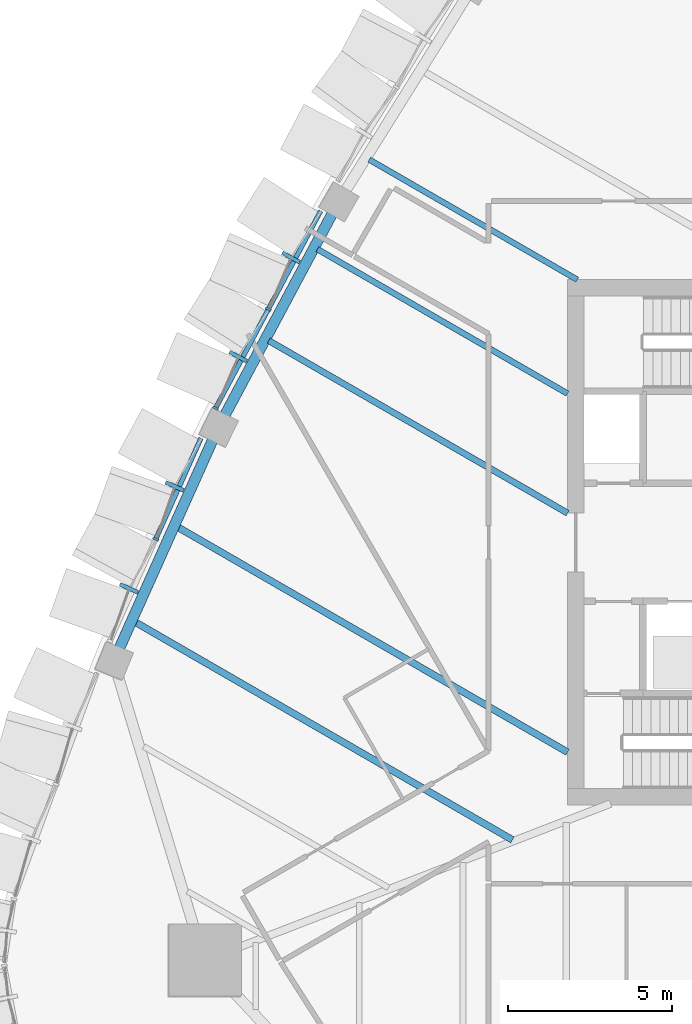
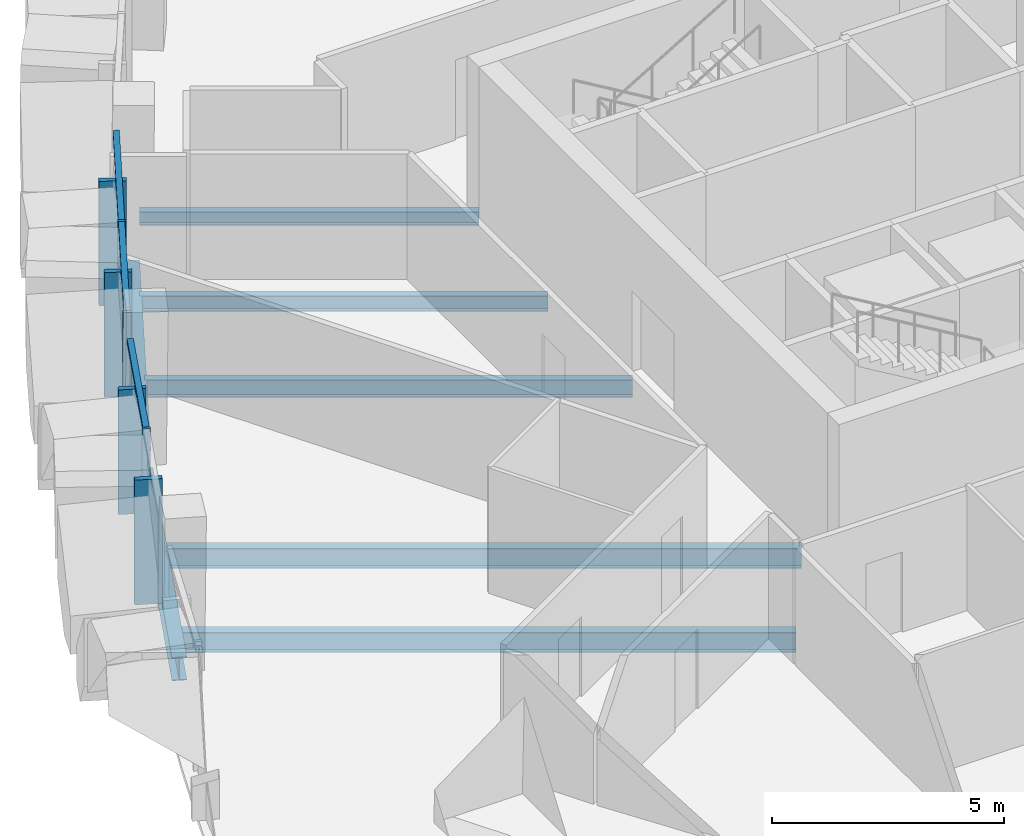
# One storey, part 3 of 20: 10 members, 7 beams, 2 elements without a shape of their own.
"""IFC4 building model written with IfcOpenShell, lengths in metres."""

from ifc_helpers import new_model, si_unit, direction, frame, origin, origin_2d, place, context, subcontext, project, spatial, rectangle, i_section, extrude, material, layer, layer_set, material_profile, profile_set, type_object, element, aggregate, save


model = new_model("IFC4")

# Units and contexts
model_context = context("Model", 3, precision=1e-05, world=origin(), true_north=direction((0.0, 1.0)))
body_context = subcontext(model_context, "Body", "Model", "MODEL_VIEW")
ifc_project = project(units=[si_unit("LENGTHUNIT", "METRE"), si_unit("AREAUNIT", "SQUARE_METRE"), si_unit("VOLUMEUNIT", "CUBIC_METRE"), si_unit("PLANEANGLEUNIT", "RADIAN"), si_unit("MASSUNIT", "GRAM", prefix="KILO")], contexts=[model_context])

# Site, building, storey
site_placement = place(None, origin())
site = spatial("IfcSite", under=ifc_project, at=site_placement, CompositionType="ELEMENT")
building_placement = place(site_placement, origin())
building = spatial("IfcBuilding", under=site, at=building_placement, Name="Sierra Prisma Convention Tower", CompositionType="ELEMENT")
storey_placement = place(building_placement, frame((0.0, 0.0, 239.0)))
storey = spatial("IfcBuildingStorey", under=building, at=storey_placement, Name="L53", CompositionType="ELEMENT", Elevation=239.0)

# Curtain wall, members
ifc_material_1 = material(Name="Aluminium and glass curtain wall", Category="aluminium")
ifc_layer = layer(ifc_material_1, 0.179931640625)
ifc_layer_set = layer_set([ifc_layer], Name="CW-2 Faceted crystal curtain wall")
curtain_wall_type = type_object("IfcCurtainWallType", Name="CW-2 Faceted crystal curtain wall", PredefinedType="NOTDEFINED", material=ifc_layer_set)
curtain_wall_1_placement = place(storey_placement, origin())
curtain_wall_1 = element("IfcCurtainWall", 1, at=curtain_wall_1_placement, inside=storey, type_object=curtain_wall_type, Name="CW-2 NW4 L53", PredefinedType="NOTDEFINED")
ifc_material_2 = material(Name="Aluminium 6063-T6 bronze anodised", Category="aluminium")
ifc_material_profile_1 = material_profile(ifc_material_2, rectangle(XDim=0.1201171875, YDim=0.60009765625, at=origin_2d()), Name="ALU RIDGE BLADE 120x600")
ifc_profile_set_1 = profile_set([ifc_material_profile_1], Name="Aluminium 6063-T6 bronze anodised")
member_type_1 = type_object("IfcMemberType", Name="CW hip bronze", PredefinedType="MULLION", material=ifc_profile_set_1)
member_1_placement = place(storey_placement, frame((-19.4228515625, 8.675537109375, 0.0), z_axis=(0.0, 0.0, 1.0), x_axis=(-0.470166099365, -0.882577950669, 0.0)))
member_1 = element("IfcMember", 2, at=member_1_placement, type_object=member_type_1, Name="CW-2 ridge NW4.1", PredefinedType="MULLION", context=body_context, shape_type="SweptSolid", body=[
    extrude(rectangle(XDim=0.1201171875, YDim=0.60009765625, at=origin_2d()), origin(), (0.0, 0.0, 1.0), 3.280029296875),
])
member_2_placement = place(storey_placement, frame((-21.03076171875, 5.656982421875, 0.0), z_axis=(0.0, 0.0, 1.0), x_axis=(-0.470166099365, -0.882577950669, 0.0)))
member_2 = element("IfcMember", 3, at=member_2_placement, type_object=member_type_1, Name="CW-2 ridge NW4.2", PredefinedType="MULLION", context=body_context, shape_type="SweptSolid", body=[
    extrude(rectangle(XDim=0.1201171875, YDim=0.60009765625, at=origin_2d()), origin(), (0.0, 0.0, 1.0), 3.280029296875),
])

curtain_wall_2_placement = place(storey_placement, origin())
curtain_wall_2 = element("IfcCurtainWall", 4, at=curtain_wall_2_placement, inside=storey, type_object=curtain_wall_type, Name="CW-2 NW5 L53", PredefinedType="NOTDEFINED")
member_3_placement = place(storey_placement, frame((-22.966064453125, 1.70458984375, 0.0), z_axis=(0.0, 0.0, 1.0), x_axis=(-0.408891774944, -0.912582881925, 0.0)))
member_3 = element("IfcMember", 5, at=member_3_placement, type_object=member_type_1, Name="CW-2 ridge NW5.1", PredefinedType="MULLION", context=body_context, shape_type="SweptSolid", body=[
    extrude(rectangle(XDim=0.1201171875, YDim=0.60009765625, at=origin_2d()), origin(), (0.0, 0.0, 1.0), 3.280029296875),
])
member_4_placement = place(storey_placement, frame((-24.358154296875, -1.40185546875, 0.0), z_axis=(0.0, 0.0, 1.0), x_axis=(-0.408891774944, -0.912582881925, 0.0)))
member_4 = element("IfcMember", 6, at=member_4_placement, type_object=member_type_1, Name="CW-2 ridge NW5.2", PredefinedType="MULLION", context=body_context, shape_type="SweptSolid", body=[
    extrude(rectangle(XDim=0.1201171875, YDim=0.60009765625, at=origin_2d()), origin(), (0.0, 0.0, 1.0), 3.280029296875),
])

# Member
ifc_material_3 = material(Name="Aluminium 6063-T6 bronze anodised", Category="aluminium")
ifc_material_profile_2 = material_profile(ifc_material_3, rectangle(XDim=0.179931640625, YDim=0.070068359375, at=origin_2d()), Name="ALU MULLION 70x180")
ifc_profile_set_2 = profile_set([ifc_material_profile_2], Name="Aluminium 6063-T6 bronze anodised")
member_type_2 = type_object("IfcMemberType", Name="CW mullion bronze", PredefinedType="MULLION", material=ifc_profile_set_2)
member_5_placement = place(storey_placement, frame((-20.1103515625, 7.104248046875, 0.0), z_axis=(0.0, 0.0, 1.0), x_axis=(0.882577950669, -0.470166099365, 0.0)))
member_5 = element("IfcMember", 7, at=member_5_placement, type_object=member_type_2, Name="CW-1 mullion NW4.2", PredefinedType="MULLION", context=body_context, shape_type="SweptSolid", body=[
    extrude(rectangle(XDim=0.179931640625, YDim=0.070068359375, at=origin_2d()), origin(), (0.0, 0.0, 1.0), 3.39990234375),
])

member_6_placement = place(storey_placement, frame((-21.71826171875, 4.0859375, 0.0), z_axis=(0.0, 0.0, 1.0), x_axis=(0.882577950669, -0.470166099365, 0.0)))
member_6 = element("IfcMember", 8, at=member_6_placement, type_object=member_type_2, Name="CW-1 mullion NW4.3", PredefinedType="MULLION", context=body_context, shape_type="SweptSolid", body=[
    extrude(rectangle(XDim=0.179931640625, YDim=0.070068359375, at=origin_2d()), origin(), (0.0, 0.0, 1.0), 3.39990234375),
])

member_7_placement = place(storey_placement, frame((-23.54248046875, 0.097900390625, 0.0), z_axis=(0.0, 0.0, 1.0), x_axis=(0.912582881925, -0.408891774944, 0.0)))
member_7 = element("IfcMember", 9, at=member_7_placement, type_object=member_type_2, Name="CW-1 mullion NW5.2", PredefinedType="MULLION", context=body_context, shape_type="SweptSolid", body=[
    extrude(rectangle(XDim=0.179931640625, YDim=0.070068359375, at=origin_2d()), origin(), (0.0, 0.0, 1.0), 3.39990234375),
])

ifc_material_4 = material(Name="Aluminium 6063-T6 bronze anodised", Category="aluminium")
ifc_material_profile_3 = material_profile(ifc_material_4, rectangle(XDim=0.139892578125, YDim=0.1201171875, at=origin_2d()), Name="ALU TRANSOM 120x140")
ifc_profile_set_3 = profile_set([ifc_material_profile_3], Name="Aluminium 6063-T6 bronze anodised")
member_type_3 = type_object("IfcMemberType", Name="CW transom bronze", PredefinedType="USERDEFINED", material=ifc_profile_set_3)
member_8_placement = place(storey_placement, frame((-18.518798828125, 10.091796875, 3.340087890625), z_axis=(-0.470209931671, -0.882554598967, 0.0), x_axis=(0.882554598967, -0.470209931671, 0.0)))
member_8 = element("IfcMember", 10, at=member_8_placement, type_object=member_type_3, Name="CW-1 transom NW4.1", ObjectType="TRANSOM", PredefinedType="USERDEFINED", context=body_context, shape_type="SweptSolid", body=[
    extrude(rectangle(XDim=0.139892578125, YDim=0.1201171875, at=origin_2d()), origin(), (0.0, 0.0, 1.0), 3.35009765625),
])

member_9_placement = place(storey_placement, frame((-20.126708984375, 7.0732421875, 3.340087890625), z_axis=(-0.470209931671, -0.882554598967, 0.0), x_axis=(0.882554598967, -0.470209931671, 0.0)))
member_9 = element("IfcMember", 11, at=member_9_placement, type_object=member_type_3, Name="CW-1 transom NW4.2", ObjectType="TRANSOM", PredefinedType="USERDEFINED", context=body_context, shape_type="SweptSolid", body=[
    extrude(rectangle(XDim=0.139892578125, YDim=0.1201171875, at=origin_2d()), origin(), (0.0, 0.0, 1.0), 3.35009765625),
])

aggregate(curtain_wall_1, [member_5, member_6, member_8, member_1, member_9, member_2])

member_10_placement = place(storey_placement, frame((-22.164794921875, 3.17236328125, 3.340087890625), z_axis=(-0.408881392104, -0.912587533988, 0.0), x_axis=(0.912587533988, -0.408881392104, 0.0)))
member_10 = element("IfcMember", 12, at=member_10_placement, type_object=member_type_3, Name="CW-1 transom NW5.1", ObjectType="TRANSOM", PredefinedType="USERDEFINED", context=body_context, shape_type="SweptSolid", body=[
    extrude(rectangle(XDim=0.139892578125, YDim=0.1201171875, at=origin_2d()), origin(), (0.0, 0.0, 1.0), 3.334228515625),
])

aggregate(curtain_wall_2, [member_7, member_10, member_3, member_4])

# Beams
ifc_material_5 = material(Name="Steel ASTM A992 Gr 50", Category="steel")
ifc_material_profile_4 = material_profile(ifc_material_5, i_section(OverallWidth=0.172119140625, OverallDepth=0.35791015625, WebThickness=0.0078125, FlangeThickness=0.01318359375, at=origin_2d()), Name="W360x57")
ifc_profile_set_4 = profile_set([ifc_material_profile_4], Name="Steel ASTM A992 Gr 50")
beam_type_1 = type_object("IfcBeamType", Name="Floor joist W360x57", PredefinedType="JOIST", material=ifc_profile_set_4)
beam_1_placement = place(storey_placement, frame((-17.0390625, 11.65771484375, -0.3291015625), z_axis=(0.86602886455, -0.49999400573, 0.0), x_axis=(0.49999400573, 0.86602886455, 0.0)))
element("IfcBeam", 13, at=beam_1_placement, inside=storey, type_object=beam_type_1, Name="Floor joist L53 NW07", PredefinedType="JOIST", context=body_context, shape_type="SweptSolid", body=[
    extrude(i_section(OverallWidth=0.172119140625, OverallDepth=0.35791015625, WebThickness=0.0078125, FlangeThickness=0.01318359375, at=origin_2d()), origin(), (0.0, 0.0, 1.0), 7.3154296875),
])
ifc_material_6 = material(Name="Steel ASTM A992 Gr 50", Category="steel")
ifc_material_profile_5 = material_profile(ifc_material_6, i_section(OverallWidth=0.177978515625, OverallDepth=0.406982421875, WebThickness=0.0078125, FlangeThickness=0.0126953125, at=origin_2d()), Name="W410x60")
ifc_profile_set_5 = profile_set([ifc_material_profile_5], Name="Steel ASTM A992 Gr 50")
beam_type_2 = type_object("IfcBeamType", Name="Floor joist W410x60", PredefinedType="JOIST", material=ifc_profile_set_5)
beam_2_placement = place(storey_placement, frame((-18.615478515625, 8.92724609375, -0.353515625), z_axis=(0.866028853432, -0.499994024988, 0.0), x_axis=(0.499994024988, 0.866028853432, 0.0)))
element("IfcBeam", 14, at=beam_2_placement, inside=storey, type_object=beam_type_2, Name="Floor joist L53 NW08", PredefinedType="JOIST", context=body_context, shape_type="SweptSolid", body=[
    extrude(i_section(OverallWidth=0.177978515625, OverallDepth=0.406982421875, WebThickness=0.0078125, FlangeThickness=0.0126953125, at=origin_2d()), origin(), (0.0, 0.0, 1.0), 8.79345703125),
])
ifc_material_7 = material(Name="Steel ASTM A992 Gr 50", Category="steel")
ifc_material_profile_6 = material_profile(ifc_material_7, i_section(OverallWidth=0.18994140625, OverallDepth=0.45703125, WebThickness=0.009033203125, FlangeThickness=0.014404296875, at=origin_2d()), Name="W460x74")
ifc_profile_set_6 = profile_set([ifc_material_profile_6], Name="Steel ASTM A992 Gr 50")
beam_type_3 = type_object("IfcBeamType", Name="Floor joist W460x74", PredefinedType="JOIST", material=ifc_profile_set_6)
beam_3_placement = place(storey_placement, frame((-20.0986328125, 6.14306640625, -0.37841796875), z_axis=(0.866032345022, -0.499987977232, 0.0), x_axis=(0.499987977232, 0.866032345022, 0.0)))
element("IfcBeam", 15, at=beam_3_placement, inside=storey, type_object=beam_type_3, Name="Floor joist L53 NW09", PredefinedType="JOIST", context=body_context, shape_type="SweptSolid", body=[
    extrude(i_section(OverallWidth=0.18994140625, OverallDepth=0.45703125, WebThickness=0.009033203125, FlangeThickness=0.014404296875, at=origin_2d()), origin(), (0.0, 0.0, 1.0), 10.506103515625),
])
ifc_material_8 = material(Name="Steel ASTM A992 Gr 50", Category="steel")
ifc_material_profile_7 = material_profile(ifc_material_8, i_section(OverallWidth=0.208984375, OverallDepth=0.532958984375, WebThickness=0.01025390625, FlangeThickness=0.015625, at=origin_2d()), Name="W530x92")
ifc_profile_set_7 = profile_set([ifc_material_profile_7], Name="Steel ASTM A992 Gr 50")
beam_type_4 = type_object("IfcBeamType", Name="Floor joist W530x92", PredefinedType="JOIST", material=ifc_profile_set_7)
beam_4_placement = place(storey_placement, frame((-22.871826171875, 0.46337890625, -0.41650390625), z_axis=(0.866023950423, -0.500002517287, 0.0), x_axis=(0.500002517287, 0.866023950423, 0.0)))
element("IfcBeam", 16, at=beam_4_placement, inside=storey, type_object=beam_type_4, Name="Floor joist L53 NW11", PredefinedType="JOIST", context=body_context, shape_type="SweptSolid", body=[
    extrude(i_section(OverallWidth=0.208984375, OverallDepth=0.532958984375, WebThickness=0.01025390625, FlangeThickness=0.015625, at=origin_2d()), origin(), (0.0, 0.0, 1.0), 13.70849609375),
])
beam_5_placement = place(storey_placement, frame((-24.167724609375, -2.428955078125, -0.41650390625), z_axis=(0.866028695061, -0.499994299299, 0.0), x_axis=(0.499994299299, 0.866028695061, 0.0)))
element("IfcBeam", 17, at=beam_5_placement, inside=storey, type_object=beam_type_4, Name="Floor joist L53 NW12", PredefinedType="JOIST", context=body_context, shape_type="SweptSolid", body=[
    extrude(i_section(OverallWidth=0.208984375, OverallDepth=0.532958984375, WebThickness=0.01025390625, FlangeThickness=0.015625, at=origin_2d()), origin(), (0.0, 0.0, 1.0), 13.267822265625),
])
ifc_material_9 = material(Name="Steel ASTM A992 Gr 50", Category="steel")
ifc_material_profile_8 = material_profile(ifc_material_9, i_section(OverallWidth=0.324951171875, OverallDepth=0.615966796875, WebThickness=0.013916015625, FlangeThickness=0.021484375, at=origin_2d()), Name="W610x174")
ifc_profile_set_8 = profile_set([ifc_material_profile_8], Name="Steel ASTM A992 Gr 50")
beam_type_5 = type_object("IfcBeamType", Name="Spandrel beam W610x174", PredefinedType="BEAM", material=ifc_profile_set_8)
for number, where, z_axis, x_axis, name in (
    (18, (-18.12646484375, 10.084228515625, -0.4580078125), (-0.470158567125, -0.882581963196, 0.0), (0.882581963196, -0.470158567125, 0.0), "Spandrel L53-16"),
    (19, (-21.77294921875, 3.191650390625, -0.4580078125), (-0.408872245099, -0.912591632214, 0.0), (0.912591632214, -0.408872245099, 0.0), "Spandrel L53-17"),
):
    element("IfcBeam", number, at=place(storey_placement, frame(where, z_axis=z_axis, x_axis=x_axis)), inside=storey, type_object=beam_type_5, Name=name, PredefinedType="BEAM", context=body_context, shape_type="SweptSolid", body=[
        extrude(i_section(OverallWidth=0.324951171875, OverallDepth=0.615966796875, WebThickness=0.013916015625, FlangeThickness=0.021484375, at=origin_2d()), origin(), (0.0, 0.0, 1.0), 7.137939453125),
    ])

save(model, "model.ifc")
